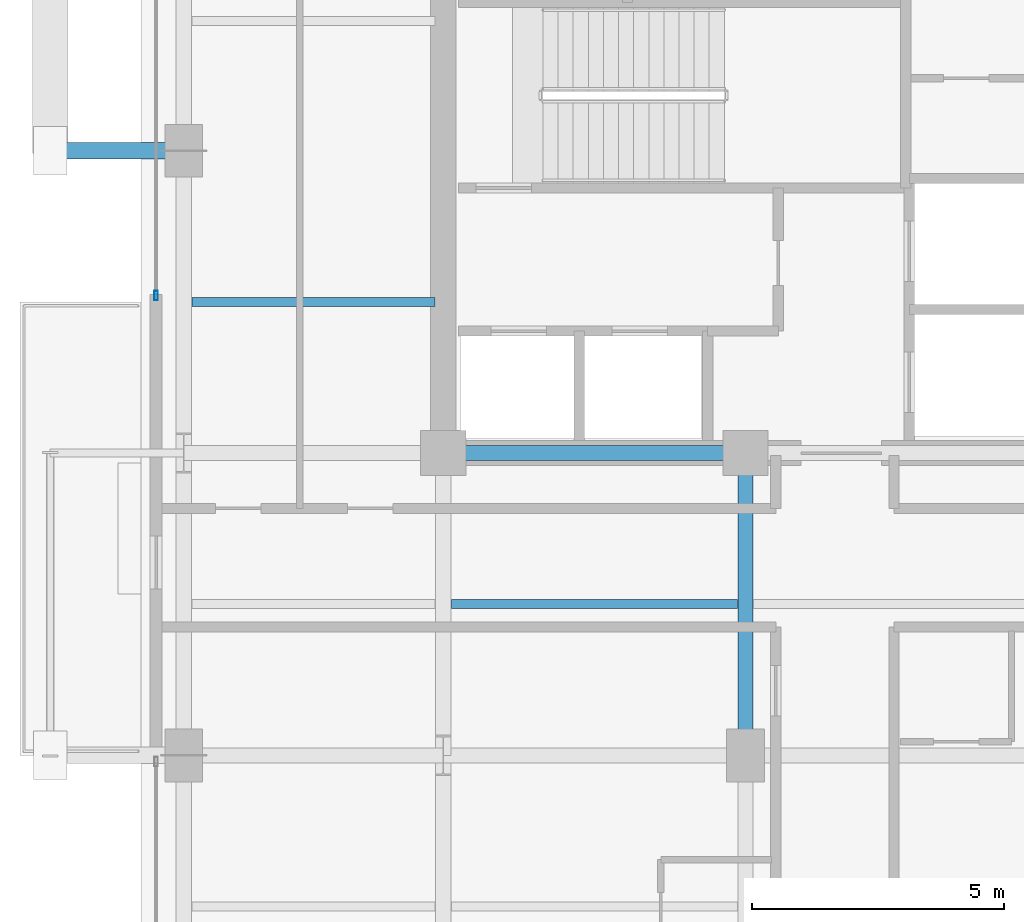
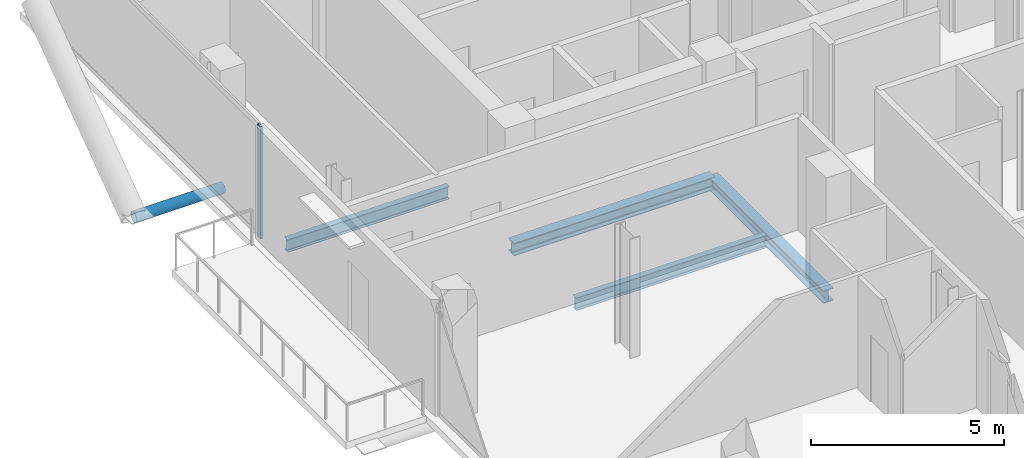
# One storey, part 7 of 21: 4 beams, 2 members, 1 element without a shape of its own.
"""IFC4 building model written with IfcOpenShell, lengths in metres."""

from ifc_helpers import new_model, si_unit, direction, frame, origin, origin_2d, place, context, subcontext, project, spatial, hollow_rectangle, hollow_circle, i_section, extrude, material, layer, layer_set, material_profile, profile_set, type_object, element, aggregate, save


model = new_model("IFC4")

# Units and contexts
model_context = context("Model", 3, precision=1e-05, world=origin(), true_north=direction((0.0, 1.0)))
body_context = subcontext(model_context, "Body", "Model", "MODEL_VIEW")
ifc_project = project(units=[si_unit("LENGTHUNIT", "METRE"), si_unit("AREAUNIT", "SQUARE_METRE"), si_unit("VOLUMEUNIT", "CUBIC_METRE"), si_unit("PLANEANGLEUNIT", "RADIAN"), si_unit("MASSUNIT", "GRAM", prefix="KILO"), si_unit("THERMODYNAMICTEMPERATUREUNIT", "KELVIN"), si_unit("POWERUNIT", "WATT")], contexts=[model_context])

# Site, building, storey
site_placement = place(None, origin())
site = spatial("IfcSite", under=ifc_project, at=site_placement, CompositionType="ELEMENT")
building_placement = place(site_placement, origin())
building = spatial("IfcBuilding", under=site, at=building_placement, Name="Svarakhadi Broadcast Tower", CompositionType="ELEMENT")
storey_placement = place(building_placement, frame((0.0, 0.0, 208.64990234375)))
storey = spatial("IfcBuildingStorey", under=building, at=storey_placement, Name="L51", CompositionType="ELEMENT", Elevation=208.64990234375)

# Beams
ifc_material_1 = material(Name="Steel S355J2 (IS 2062 E350C)", Category="steel")
ifc_material_profile_1 = material_profile(ifc_material_1, i_section(OverallWidth=0.179931640625, OverallDepth=0.39990234375, WebThickness=0.008544921875, FlangeThickness=0.013427734375, FilletRadius=0.02099609375, at=origin_2d()), Name="NPB 400x180x66")
ifc_profile_set_1 = profile_set([ifc_material_profile_1], Name="Steel S355J2 (IS 2062 E350C)")
beam_type_1 = type_object("IfcBeamType", Name="Beam_NPB400", PredefinedType="BEAM", material=ifc_profile_set_1)
beam_1_placement = place(storey_placement, frame((1.010009765625, 21.0, -0.409912109375), z_axis=(1.0, 0.0, 0.0), x_axis=(0.0, 1.0, 0.0)))
element("IfcBeam", 1, at=beam_1_placement, inside=storey, type_object=beam_type_1, Name="L51 Secondary Composite Beam SB003", PredefinedType="BEAM", context=body_context, shape_type="SweptSolid", body=[
    extrude(i_section(OverallWidth=0.179931640625, OverallDepth=0.39990234375, WebThickness=0.008544921875, FlangeThickness=0.013427734375, FilletRadius=0.02099609375, at=origin_2d()), origin(), (0.0, 0.0, 1.0), 4.830078125),
])
beam_2_placement = place(storey_placement, frame((6.159912109375, 15.0, -0.409912109375), z_axis=(1.0, 0.0, 0.0), x_axis=(0.0, 1.0, 0.0)))
element("IfcBeam", 2, at=beam_2_placement, inside=storey, type_object=beam_type_1, Name="L51 Secondary Composite Beam SB007", PredefinedType="BEAM", context=body_context, shape_type="SweptSolid", body=[
    extrude(i_section(OverallWidth=0.179931640625, OverallDepth=0.39990234375, WebThickness=0.008544921875, FlangeThickness=0.013427734375, FilletRadius=0.02099609375, at=origin_2d()), origin(), (0.0, 0.0, 1.0), 5.68017578125),
])

# Curtain wall, member
ifc_material_2 = material(Name="Anodised Bronze Aluminium AA 6063-T6", Category="aluminium")
ifc_layer = layer(ifc_material_2, 0.18994140625)
ifc_layer_set = layer_set([ifc_layer], Name="Anodised Bronze Aluminium AA 6063-T6")
curtain_wall_type = type_object("IfcCurtainWallType", Name="CW_Sys_04", PredefinedType="NOTDEFINED", material=ifc_layer_set)
curtain_wall_placement = place(storey_placement, origin())
curtain_wall = element("IfcCurtainWall", 3, at=curtain_wall_placement, inside=storey, type_object=curtain_wall_type, Name="L51 West Curtain Wall 03", PredefinedType="NOTDEFINED")
ifc_material_profile_2 = material_profile(ifc_material_2, hollow_rectangle(XDim=0.070068359375, YDim=0.18994140625, WallThickness=0.005615234375, at=origin_2d()), Name="ALU MULLION 190x70x6")
ifc_profile_set_2 = profile_set([ifc_material_profile_2], Name="Anodised Bronze Aluminium AA 6063-T6")
member_type_1 = type_object("IfcMemberType", Name="CW_Sys_04_Mul", PredefinedType="MULLION", material=ifc_profile_set_2)
member_1_placement = place(storey_placement, frame((0.300048828125, 21.125, 0.0), z_axis=(0.0, 0.0, 1.0), x_axis=(-1.0, 0.0, 0.0)))
member_1 = element("IfcMember", 4, at=member_1_placement, type_object=member_type_1, Name="CW-04 mullion 1", PredefinedType="MULLION", context=body_context, shape_type="SweptSolid", body=[
    extrude(hollow_rectangle(XDim=0.070068359375, YDim=0.18994140625, WallThickness=0.005615234375, at=origin_2d()), origin(), (0.0, 0.0, 1.0), 3.5400390625),
])
aggregate(curtain_wall, [member_1])

# Member
ifc_material_3 = material(Name="Steel S460ML (IS 2062 E450BR)", Category="steel")
ifc_material_profile_3 = material_profile(ifc_material_3, hollow_circle(Radius=0.161865234375, WallThickness=0.01611328125, at=origin_2d()), Name="CHS 323.9x16")
ifc_profile_set_3 = profile_set([ifc_material_profile_3], Name="Steel S460ML (IS 2062 E450BR)")
member_type_2 = type_object("IfcMemberType", Name="Exo_Radial_Strut_Z2", PredefinedType="STRUT", material=ifc_profile_set_3)
member_2_placement = place(storey_placement, frame((-1.800048828125, 24.0, -0.371826171875), z_axis=(1.0, 0.0, 0.0), x_axis=(0.0, 1.0, 0.0)))
element("IfcMember", 5, at=member_2_placement, inside=storey, type_object=member_type_2, Name="L51 Exoskeleton Radial Tie Strut W05", PredefinedType="STRUT", context=body_context, shape_type="SweptSolid", body=[
    extrude(hollow_circle(Radius=0.161865234375, WallThickness=0.01611328125, at=origin_2d()), origin(), (0.0, 0.0, 1.0), 2.650146484375),
])

# Beams
ifc_material_profile_4 = material_profile(ifc_material_1, i_section(OverallWidth=0.300048828125, OverallDepth=0.39990234375, WebThickness=0.013427734375, FlangeThickness=0.02392578125, FilletRadius=0.027099609375, at=origin_2d()), Name="WPB 400x300x155")
ifc_profile_set_4 = profile_set([ifc_material_profile_4], Name="Steel S355J2 (IS 2062 E350C)")
beam_type_2 = type_object("IfcBeamType", Name="Girder_WPB400", PredefinedType="USERDEFINED", material=ifc_profile_set_4)
for number, where, z_axis, x_axis, name in (
    (6, (6.0, 18.0, -0.409912109375), (1.0, 0.0, 0.0), (0.0, 1.0, 0.0), "L51 Primary E-W Girder G021"),
    (7, (12.0, 12.0, -0.409912109375), (0.0, 1.0, 0.0), (-1.0, 0.0, 0.0), "L51 Primary N-S Girder G044"),
):
    element("IfcBeam", number, at=place(storey_placement, frame(where, z_axis=z_axis, x_axis=x_axis)), inside=storey, type_object=beam_type_2, Name=name, ObjectType="GIRDER", PredefinedType="USERDEFINED", context=body_context, shape_type="SweptSolid", body=[
        extrude(i_section(OverallWidth=0.300048828125, OverallDepth=0.39990234375, WebThickness=0.013427734375, FlangeThickness=0.02392578125, FilletRadius=0.027099609375, at=origin_2d()), origin(), (0.0, 0.0, 1.0), 6.0),
    ])

save(model, "model.ifc")
